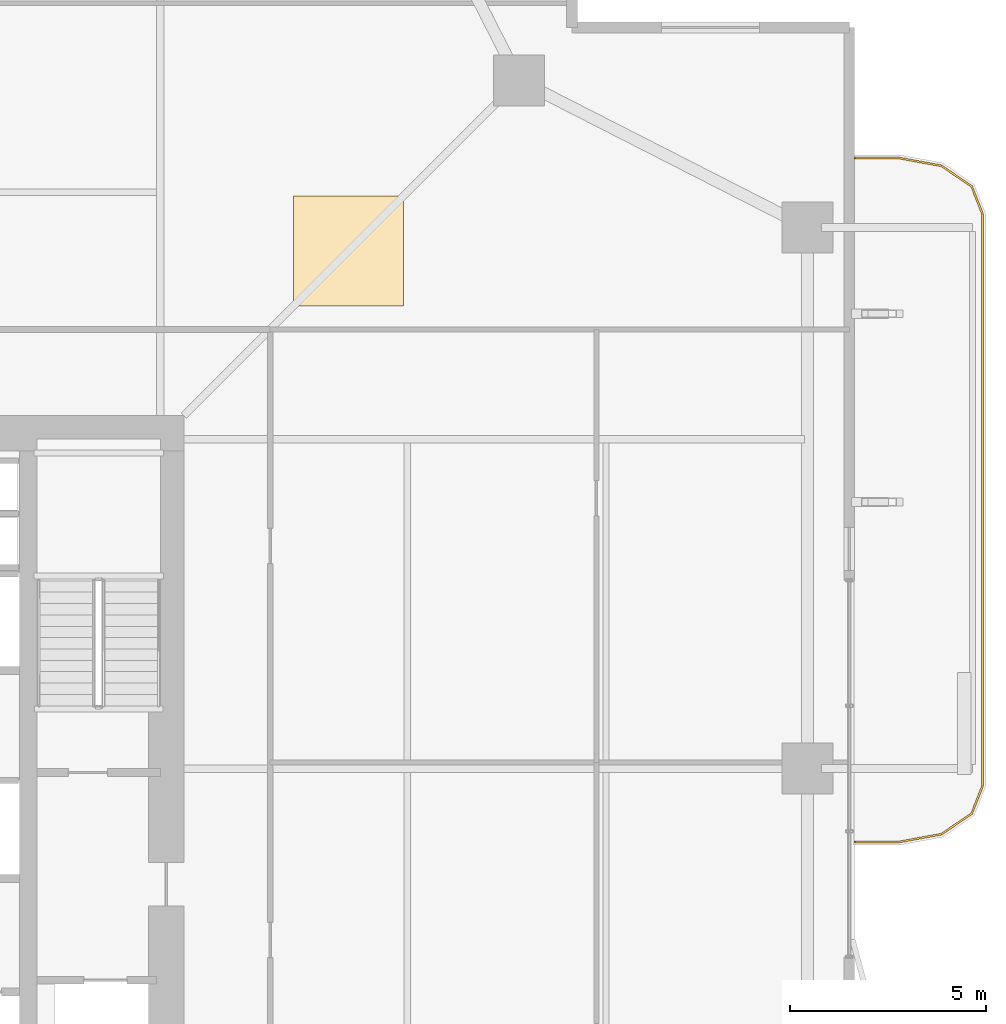
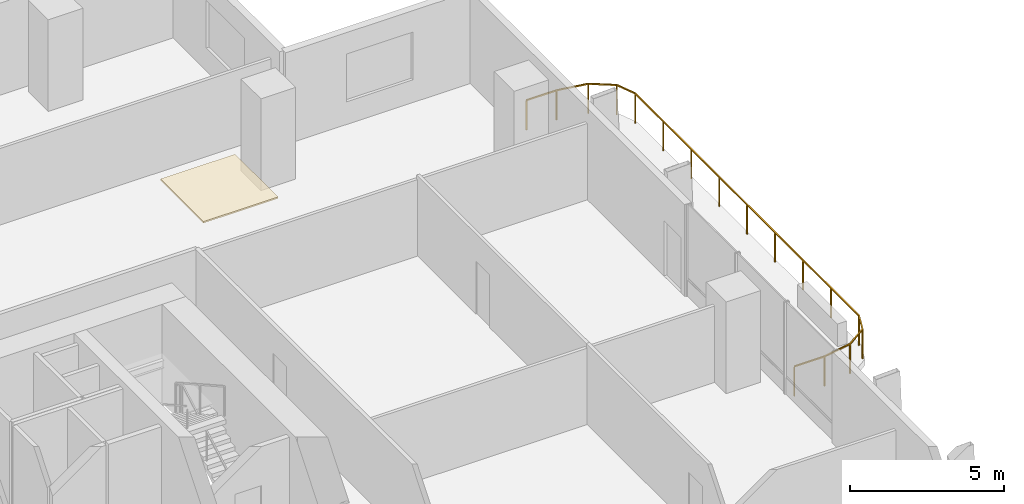
# One storey, part 24 of 24: 1 covering, 1 railing.
"""IFC4 building model written with IfcOpenShell, lengths in metres."""

from ifc_helpers import new_model, si_unit, direction, frame, origin, origin_2d, place, context, subcontext, project, spatial, polyline, rectangle, outline, extrude, material, layer, layer_set, type_object, element, save


model = new_model("IFC4")

# Units and contexts
model_context = context("Model", 3, precision=1e-05, world=origin(), true_north=direction((0.0, 1.0)))
body_context = subcontext(model_context, "Body", "Model", "MODEL_VIEW")
ifc_project = project(units=[si_unit("LENGTHUNIT", "METRE"), si_unit("AREAUNIT", "SQUARE_METRE"), si_unit("VOLUMEUNIT", "CUBIC_METRE"), si_unit("PLANEANGLEUNIT", "RADIAN"), si_unit("MASSUNIT", "GRAM", prefix="KILO")], contexts=[model_context])

# Site, building, storey
site_placement = place(None, origin())
site = spatial("IfcSite", under=ifc_project, at=site_placement, CompositionType="ELEMENT")
building_placement = place(site_placement, origin())
building = spatial("IfcBuilding", under=site, at=building_placement, Name="Belovzor Exchange Tower", CompositionType="ELEMENT")
storey_placement = place(building_placement, frame((0.0, 0.0, 121.199951171875)))
storey = spatial("IfcBuildingStorey", under=building, at=storey_placement, Name="L29", CompositionType="ELEMENT", Elevation=121.199951171875)

# Railing
ifc_material_1 = material(Name="Stainless Steel and Laminated Safety Glass", Category="steel")
railing_type = type_object("IfcRailingType", Name="Laminated Glass & Stainless Steel Balcony Balustrade 1200", PredefinedType="BALUSTRADE", material=ifc_material_1)
railing_placement = place(storey_placement, frame((54.909912109375, 26.929931640625, 0.0)))
element("IfcRailing", 1, at=railing_placement, inside=storey, type_object=railing_type, Name="GR-1 Balcony Balustrade L29 East", PredefinedType="BALUSTRADE", context=body_context, shape_type="SweptSolid", body=[
    extrude(rectangle(XDim=0.048095703125, YDim=0.048095703125, at=origin_2d()), frame((0.0, 0.0, 1.17578125), z_axis=(1.0, 0.0, 0.0), x_axis=(0.0, 1.0, 0.0)), (0.0, 0.0, 1.0), 1.133056640625),
    extrude(rectangle(XDim=0.048095703125, YDim=0.048095703125, at=origin_2d()), frame((1.133056640625, 0.0, 1.17578125), z_axis=(0.983644145941, 0.180122719713, 0.0), x_axis=(-0.180122719713, 0.983644145941, 0.0)), (0.0, 0.0, 1.0), 1.09375),
    extrude(rectangle(XDim=0.048095703125, YDim=0.048095703125, at=origin_2d()), frame((2.208984375, 0.197021484375, 1.17578125), z_axis=(0.826493025367, 0.56294695933, 0.0), x_axis=(-0.56294695933, 0.826493025367, 0.0)), (0.0, 0.0, 1.0), 0.932861328125),
    extrude(rectangle(XDim=0.048095703125, YDim=0.048095703125, at=origin_2d()), frame((2.97998046875, 0.72216796875, 1.17578125), z_axis=(0.365612923861, 0.930766990125, 0.0), x_axis=(-0.930766990125, 0.365612923861, 0.0)), (0.0, 0.0, 1.0), 0.765869140625),
    extrude(rectangle(XDim=0.048095703125, YDim=0.048095703125, at=origin_2d()), frame((3.260009765625, 1.43505859375, 1.17578125), z_axis=(0.0, 1.0, 0.0), x_axis=(-1.0, 0.0, 0.0)), (0.0, 0.0, 1.0), 14.570068359375),
    extrude(rectangle(XDim=0.048095703125, YDim=0.048095703125, at=origin_2d()), frame((3.260009765625, 16.005126953125, 1.17578125), z_axis=(-0.365612923861, 0.930766990125, 0.0), x_axis=(-0.930766990125, -0.365612923861, 0.0)), (0.0, 0.0, 1.0), 0.765869140625),
    extrude(rectangle(XDim=0.048095703125, YDim=0.048095703125, at=origin_2d()), frame((2.97998046875, 16.718017578125, 1.17578125), z_axis=(-0.826493025367, 0.56294695933, 0.0), x_axis=(-0.56294695933, -0.826493025367, 0.0)), (0.0, 0.0, 1.0), 0.932861328125),
    extrude(rectangle(XDim=0.048095703125, YDim=0.048095703125, at=origin_2d()), frame((2.208984375, 17.2431640625, 1.17578125), z_axis=(-0.983644145941, 0.180122719713, 0.0), x_axis=(-0.180122719713, -0.983644145941, 0.0)), (0.0, 0.0, 1.0), 1.09375),
    extrude(rectangle(XDim=0.048095703125, YDim=0.048095703125, at=origin_2d()), frame((1.133056640625, 17.440185546875, 1.17578125), z_axis=(-1.0, 0.0, 0.0), x_axis=(0.0, -1.0, 0.0)), (0.0, 0.0, 1.0), 1.133056640625),
    extrude(rectangle(XDim=0.0419921875, YDim=0.0419921875, at=origin_2d()), origin(), (0.0, 0.0, 1.0), 1.15185546875),
    extrude(rectangle(XDim=0.0419921875, YDim=0.0419921875, at=origin_2d()), frame((1.133056640625, 0.0, 0.0)), (0.0, 0.0, 1.0), 1.15185546875),
    extrude(rectangle(XDim=0.0419921875, YDim=0.0419921875, at=origin_2d()), frame((2.208984375, 0.197021484375, 0.0)), (0.0, 0.0, 1.0), 1.15185546875),
    extrude(rectangle(XDim=0.0419921875, YDim=0.0419921875, at=origin_2d()), frame((2.97998046875, 0.72216796875, 0.0)), (0.0, 0.0, 1.0), 1.15185546875),
    extrude(rectangle(XDim=0.0419921875, YDim=0.0419921875, at=origin_2d()), frame((3.260009765625, 1.43505859375, 0.0)), (0.0, 0.0, 1.0), 1.15185546875),
    extrude(rectangle(XDim=0.0419921875, YDim=0.0419921875, at=origin_2d()), frame((3.260009765625, 3.25634765625, 0.0)), (0.0, 0.0, 1.0), 1.15185546875),
    extrude(rectangle(XDim=0.0419921875, YDim=0.0419921875, at=origin_2d()), frame((3.260009765625, 5.07763671875, 0.0)), (0.0, 0.0, 1.0), 1.15185546875),
    extrude(rectangle(XDim=0.0419921875, YDim=0.0419921875, at=origin_2d()), frame((3.260009765625, 6.89892578125, 0.0)), (0.0, 0.0, 1.0), 1.15185546875),
    extrude(rectangle(XDim=0.0419921875, YDim=0.0419921875, at=origin_2d()), frame((3.260009765625, 8.72021484375, 0.0)), (0.0, 0.0, 1.0), 1.15185546875),
    extrude(rectangle(XDim=0.0419921875, YDim=0.0419921875, at=origin_2d()), frame((3.260009765625, 10.541259765625, 0.0)), (0.0, 0.0, 1.0), 1.15185546875),
    extrude(rectangle(XDim=0.0419921875, YDim=0.0419921875, at=origin_2d()), frame((3.260009765625, 12.362548828125, 0.0)), (0.0, 0.0, 1.0), 1.15185546875),
    extrude(rectangle(XDim=0.0419921875, YDim=0.0419921875, at=origin_2d()), frame((3.260009765625, 14.183837890625, 0.0)), (0.0, 0.0, 1.0), 1.15185546875),
    extrude(rectangle(XDim=0.0419921875, YDim=0.0419921875, at=origin_2d()), frame((3.260009765625, 16.005126953125, 0.0)), (0.0, 0.0, 1.0), 1.15185546875),
    extrude(rectangle(XDim=0.0419921875, YDim=0.0419921875, at=origin_2d()), frame((2.97998046875, 16.718017578125, 0.0)), (0.0, 0.0, 1.0), 1.15185546875),
    extrude(rectangle(XDim=0.0419921875, YDim=0.0419921875, at=origin_2d()), frame((2.208984375, 17.2431640625, 0.0)), (0.0, 0.0, 1.0), 1.15185546875),
    extrude(rectangle(XDim=0.0419921875, YDim=0.0419921875, at=origin_2d()), frame((1.133056640625, 17.440185546875, 0.0)), (0.0, 0.0, 1.0), 1.15185546875),
    extrude(rectangle(XDim=0.0419921875, YDim=0.0419921875, at=origin_2d()), frame((0.0, 17.440185546875, 0.0)), (0.0, 0.0, 1.0), 1.15185546875),
])

# Covering
ifc_material_2 = material(Name="Perforated Powder-Coated Aluminium", Category="aluminium")
ifc_layer = layer(ifc_material_2, 0.06005859375)
ifc_layer_set = layer_set([ifc_layer], Name="Perforated Powder-Coated Aluminium")
covering_type = type_object("IfcCoveringType", Name="Perforated Acoustic Metal Tile Suspended Ceiling 60", PredefinedType="CEILING", material=ifc_layer_set)
covering_placement = place(storey_placement, frame((0.0, 0.0, 3.590087890625)))
element("IfcCovering", 2, at=covering_placement, inside=storey, type_object=covering_type, Name="CLG-AC60 Suspended Ceiling CLG-L29-Z2", PredefinedType="CEILING", context=body_context, shape_type="SweptSolid", body=[
    extrude(outline(polyline([(40.60009765625, 40.60009765625), (43.39990234375, 40.60009765625), (43.39990234375, 43.39990234375), (40.60009765625, 43.39990234375), (40.60009765625, 40.60009765625)])), origin(), (0.0, 0.0, 1.0), 0.06005859375),
])

save(model, "model.ifc")
